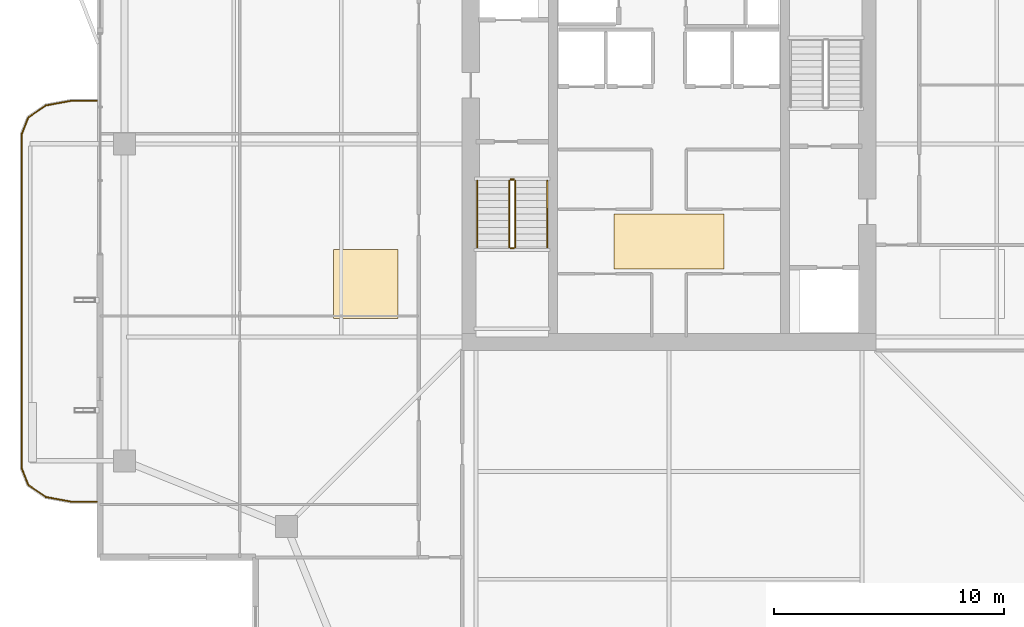
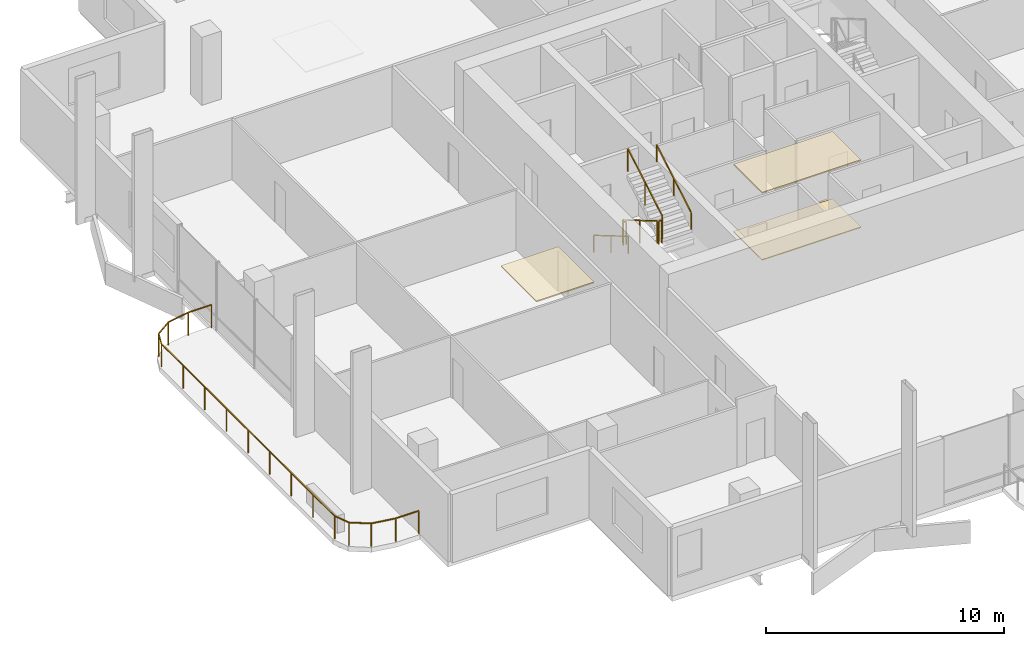
# One storey, part 22 of 25: 7 railings, 3 coverings.
"""IFC4 building model written with IfcOpenShell, lengths in metres."""

import ifcopenshell
import ifcopenshell.guid

model = None  # the IFC model being written
_history = None  # IfcOwnerHistory: only IFC2X3 demands one
_inside = {}  # id of a spatial element -> (the spatial element, [elements in it])
_under = {}  # id of a project, library or spatial element -> (it, [spatial elements below it])
_declared = {}  # id of a project -> (the project, [libraries it declares])
_typed = {}  # id of a type object -> (the type object, [elements of that type])
_made_of = {}  # id of a material, layer set ... -> (it, [elements and type objects made of it])


def new_model(schema):
    """Start an empty IFC model of exactly this schema.

    Asked for "IFC4X3", IfcOpenShell would pick the latest addendum, in which some entities
    have other attributes; the version numbers below select the first issue.
    IFC2X3 requires an IfcOwnerHistory on every rooted entity: one is made here for all.
    """
    global model, _history
    if schema == "IFC4X3":
        model = ifcopenshell.file(schema_version=(4, 3, 0, 0))
    else:
        model = ifcopenshell.file(schema=schema)
    _inside.clear()
    _under.clear()
    _declared.clear()
    _typed.clear()
    _made_of.clear()
    _history = None
    if model.schema == "IFC2X3":
        org = make("IfcOrganization", Name="unknown")
        user = make(
            "IfcPersonAndOrganization",
            ThePerson=make("IfcPerson", FamilyName="unknown"),
            TheOrganization=org,
        )
        app = make(
            "IfcApplication",
            ApplicationDeveloper=org,
            Version="unknown",
            ApplicationFullName="unknown",
            ApplicationIdentifier="unknown",
        )
        _history = make(
            "IfcOwnerHistory",
            OwningUser=user,
            OwningApplication=app,
            ChangeAction="ADDED",
            CreationDate=0,
        )
    return model


def make(cls, **values):
    """One entity of the class cls with the attributes given. An attribute that is None is left unset."""
    return model.create_entity(
        cls, **{name: value for name, value in values.items() if value is not None}
    )


def rooted(cls, **values):
    """An entity with a GlobalId (a new one), such as an element, a storey or a relation."""
    return make(cls, GlobalId=ifcopenshell.guid.new(), OwnerHistory=_history, **values)


def si_unit(unit_type, name, prefix=None):
    """IfcSIUnit, for example si_unit("LENGTHUNIT", "METRE", prefix="MILLI")."""
    return make("IfcSIUnit", UnitType=unit_type, Prefix=prefix, Name=name)


def assignment(units):
    """IfcUnitAssignment: the units of a project."""
    return None if units is None else make("IfcUnitAssignment", Units=units)


def point(xyz):
    """IfcCartesianPoint."""
    return None if xyz is None else make("IfcCartesianPoint", Coordinates=xyz)


def direction(xyz):
    """IfcDirection."""
    return None if xyz is None else make("IfcDirection", DirectionRatios=xyz)


def frame(location, z_axis=None, x_axis=None):
    """IfcAxis2Placement3D, a coordinate frame: its origin and axes. An axis left out is left unset."""
    return make(
        "IfcAxis2Placement3D",
        Location=point(location),
        Axis=direction(z_axis),
        RefDirection=direction(x_axis),
    )


def frame_2d(location, x_axis=None):
    """IfcAxis2Placement2D, a coordinate frame in the plane: its origin and x axis."""
    return make(
        "IfcAxis2Placement2D", Location=point(location), RefDirection=direction(x_axis)
    )


def origin():
    """The frame at (0, 0, 0) with its axes left unset."""
    return frame((0.0, 0.0, 0.0))


def origin_2d():
    """The frame at (0, 0) in the plane with its x axis left unset."""
    return frame_2d((0.0, 0.0))


def place(relative_to, where):
    """IfcLocalPlacement: puts the frame where relative to a parent placement (None: the world)."""
    return make(
        "IfcLocalPlacement", PlacementRelTo=relative_to, RelativePlacement=where
    )


def context(
    kind, dimensions, precision=None, world=None, true_north=None, identifier=None
):
    """IfcGeometricRepresentationContext, for example the 3D "Model" context."""
    return make(
        "IfcGeometricRepresentationContext",
        ContextIdentifier=identifier,
        ContextType=kind,
        CoordinateSpaceDimension=dimensions,
        Precision=precision,
        WorldCoordinateSystem=world,
        TrueNorth=true_north,
    )


def subcontext(parent, identifier, kind, view, scale=None):
    """IfcGeometricRepresentationSubContext, for example "Body" below "Model"."""
    return make(
        "IfcGeometricRepresentationSubContext",
        ContextIdentifier=identifier,
        ContextType=kind,
        ParentContext=parent,
        TargetScale=scale,
        TargetView=view,
    )


def project(units=None, contexts=None):
    """IfcProject with its units and contexts."""
    return rooted(
        "IfcProject",
        Name="project",
        RepresentationContexts=contexts,
        UnitsInContext=assignment(units),
    )


def spatial(cls, under=None, at=None, **own):
    """A site, building, storey or space (cls), placed at a placement, below another one or the project."""
    s = rooted(cls, ObjectPlacement=at, **own)
    if under is not None:
        _under.setdefault(under.id(), (under, []))[1].append(s)
    return s


def polyline(points):
    """IfcPolyline through the points."""
    return make("IfcPolyline", Points=[point(p) for p in points])


def profile(cls, at=None, kind="AREA", **sizes):
    """A parametric profile (cls). Its sizes go by their IFC names, for example OverallWidth=200.0."""
    return make(cls, ProfileType=kind, Position=at, **sizes)


def rectangle(**sizes):
    """IfcRectangleProfileDef."""
    return profile("IfcRectangleProfileDef", **sizes)


def outline(outer, holes=None, kind="AREA"):
    """IfcArbitraryClosedProfileDef: a profile drawn as a closed curve; with holes, ...WithVoids."""
    if holes is None:
        return make("IfcArbitraryClosedProfileDef", ProfileType=kind, OuterCurve=outer)
    return make(
        "IfcArbitraryProfileDefWithVoids",
        ProfileType=kind,
        OuterCurve=outer,
        InnerCurves=holes,
    )


def extrude(swept, where, along, depth):
    """IfcExtrudedAreaSolid: the profile swept, set in the frame where, extruded along a direction by depth."""
    return make(
        "IfcExtrudedAreaSolid",
        SweptArea=swept,
        Position=where,
        ExtrudedDirection=direction(along),
        Depth=depth,
    )


def shape(context_of_items, identifier, shape_type, items):
    """IfcShapeRepresentation: the items that make up one representation, for example the "Body"."""
    return make(
        "IfcShapeRepresentation",
        ContextOfItems=context_of_items,
        RepresentationIdentifier=identifier,
        RepresentationType=shape_type,
        Items=items,
    )


def material(Name=None, Category=None):
    """IfcMaterial."""
    return make("IfcMaterial", Name=Name, Category=Category)


def layer(
    of_material, thickness, ventilated=None, Name=None, Category=None, Priority=None
):
    """IfcMaterialLayer: one layer of a wall or slab, of a material (None: an air gap)."""
    return make(
        "IfcMaterialLayer",
        Material=of_material,
        LayerThickness=thickness,
        IsVentilated=ventilated,
        Name=Name,
        Category=Category,
        Priority=Priority,
    )


def layer_set(layers, Name=None):
    """IfcMaterialLayerSet."""
    return make("IfcMaterialLayerSet", MaterialLayers=layers, LayerSetName=Name)


def made_of(thing, what):
    """Note that an element or type object is made of a material, layer set ...; save() writes the relation."""
    if what is not None:
        _made_of.setdefault(what.id(), (what, []))[1].append(thing)
    return thing


def type_object(cls, material=None, **own):
    """A type object (cls), such as IfcWallType, which elements share."""
    return made_of(rooted(cls, **own), material)


def element(
    cls,
    number,
    at=None,
    inside=None,
    cuts=None,
    type_object=None,
    material=None,
    context=None,
    identifier="Body",
    shape_type=None,
    held_by="IfcProductDefinitionShape",
    body=None,
    shapes=None,
    **own,
):
    """One element of the class cls, such as IfcWall. Its Tag is "e" and its number.

    at: its placement. inside: the storey or other place that contains it. cuts: it is an
    opening in that element (IfcRelVoidsElement). A single representation is given by context,
    identifier, shape_type and body (its items); several are given by shapes. held_by: the class
    of the entity that holds the representations. save() writes the other relations.
    """
    e = rooted(cls, Tag="e%d" % number, ObjectPlacement=at, **own)
    if body is not None:
        shapes = [shape(context, identifier, shape_type, body)]
    if shapes is not None:
        e.Representation = make(held_by, Representations=shapes)
    if inside is not None:
        _inside.setdefault(inside.id(), (inside, []))[1].append(e)
    if cuts is not None:
        rooted(
            "IfcRelVoidsElement", RelatingBuildingElement=cuts, RelatedOpeningElement=e
        )
    if type_object is not None:
        _typed.setdefault(type_object.id(), (type_object, []))[1].append(e)
    return made_of(e, material)


def aggregate(whole, parts):
    """IfcRelAggregates: a whole, such as a stair, and the parts it consists of."""
    return rooted("IfcRelAggregates", RelatingObject=whole, RelatedObjects=parts)


def save(model, path):
    """Write the relations noted so far, then the file.

    IfcRelAggregates (storeys below a building ...), IfcRelContainedInSpatialStructure (elements
    in a storey), IfcRelDefinesByType, IfcRelAssociatesMaterial and IfcRelDeclares: one each for
    every whole, place, type object, material and project.
    """
    for whole, parts in _under.values():
        aggregate(whole, parts)
    for where, things in _inside.values():
        rooted(
            "IfcRelContainedInSpatialStructure",
            RelatedElements=things,
            RelatingStructure=where,
        )
    for kind, things in _typed.values():
        rooted("IfcRelDefinesByType", RelatedObjects=things, RelatingType=kind)
    for what, things in _made_of.values():
        rooted("IfcRelAssociatesMaterial", RelatedObjects=things, RelatingMaterial=what)
    for by, libraries in _declared.values():
        rooted("IfcRelDeclares", RelatingContext=by, RelatedDefinitions=libraries)
    model.write(path)


model = new_model("IFC4")

# Units and contexts
model_context = context("Model", 3, precision=1e-05, world=origin(), true_north=direction((0.0, 1.0)))
body_context = subcontext(model_context, "Body", "Model", "MODEL_VIEW")
ifc_project = project(units=[si_unit("LENGTHUNIT", "METRE"), si_unit("AREAUNIT", "SQUARE_METRE"), si_unit("VOLUMEUNIT", "CUBIC_METRE"), si_unit("PLANEANGLEUNIT", "RADIAN"), si_unit("MASSUNIT", "GRAM", prefix="KILO")], contexts=[model_context])

# Site, building, storey
site_placement = place(None, origin())
site = spatial("IfcSite", under=ifc_project, at=site_placement, CompositionType="ELEMENT")
building_placement = place(site_placement, origin())
building = spatial("IfcBuilding", under=site, at=building_placement, Name="Belovzor Exchange Tower", CompositionType="ELEMENT")
storey_placement = place(building_placement, frame((0.0, 0.0, 272.85009765625)))
storey = spatial("IfcBuildingStorey", under=building, at=storey_placement, Name="L68", CompositionType="ELEMENT", Elevation=272.85009765625)

# Railings
ifc_material_1 = material(Name="Stainless Steel Grade 304", Category="steel")
railing_type_1 = type_object("IfcRailingType", Name="Brushed Stainless Steel Stair Handrail 900", PredefinedType="HANDRAIL", material=ifc_material_1)
railing_1_placement = place(storey_placement, frame((20.449951171875, 27.199951171875, 0.17041015625)))
element("IfcRailing", 1, at=railing_1_placement, inside=storey, type_object=railing_type_1, Name="L68 ST-1 stair handrail 1", PredefinedType="HANDRAIL", context=body_context, shape_type="SweptSolid", body=[
    extrude(rectangle(XDim=0.048095703125, YDim=0.048095703125, at=origin_2d()), frame((0.0, 0.0, 0.8759765625), z_axis=(0.0, -0.86209462966, 0.506747323142), x_axis=(1.0, 0.0, 0.0)), (0.0, 0.0, 1.0), 3.36376953125),
    extrude(rectangle(XDim=0.0419921875, YDim=0.0419921875, at=origin_2d()), origin(), (0.0, 0.0, 1.0), 0.851806640625),
    extrude(rectangle(XDim=0.0419921875, YDim=0.0419921875, at=origin_2d()), frame((0.0, -1.449951171875, 0.852294921875)), (0.0, 0.0, 1.0), 0.851806640625),
    extrude(rectangle(XDim=0.0419921875, YDim=0.0419921875, at=origin_2d()), frame((0.0, -2.89990234375, 1.70458984375)), (0.0, 0.0, 1.0), 0.851806640625),
])
railing_2_placement = place(storey_placement, frame((23.5, 24.300048828125, 2.04541015625)))
element("IfcRailing", 2, at=railing_2_placement, inside=storey, type_object=railing_type_1, Name="L68 ST-1 stair handrail 2", PredefinedType="HANDRAIL", context=body_context, shape_type="SweptSolid", body=[
    extrude(rectangle(XDim=0.048095703125, YDim=0.048095703125, at=origin_2d()), frame((0.0, 0.0, 0.8759765625), z_axis=(0.0, 0.86209462966, 0.506747323142), x_axis=(-1.0, 0.0, 0.0)), (0.0, 0.0, 1.0), 3.36376953125),
    extrude(rectangle(XDim=0.0419921875, YDim=0.0419921875, at=origin_2d()), origin(), (0.0, 0.0, 1.0), 0.851806640625),
    extrude(rectangle(XDim=0.0419921875, YDim=0.0419921875, at=origin_2d()), frame((0.0, 1.449951171875, 0.852294921875)), (0.0, 0.0, 1.0), 0.851806640625),
    extrude(rectangle(XDim=0.0419921875, YDim=0.0419921875, at=origin_2d()), frame((0.0, 2.89990234375, 1.70458984375)), (0.0, 0.0, 1.0), 0.851806640625),
])
ifc_material_2 = material(Name="Stainless Steel and Laminated Safety Glass", Category="steel")
railing_type_2 = type_object("IfcRailingType", Name="Laminated Glass & Stainless Steel Balcony Balustrade 1200", PredefinedType="BALUSTRADE", material=ifc_material_2)
railing_3_placement = place(storey_placement, frame((3.889892578125, 30.669921875, 0.0)))
element("IfcRailing", 3, at=railing_3_placement, inside=storey, type_object=railing_type_2, Name="GR-1 Balcony Balustrade L68 West", PredefinedType="BALUSTRADE", context=body_context, shape_type="SweptSolid", body=[
    extrude(rectangle(XDim=0.048095703125, YDim=0.048095703125, at=origin_2d()), frame((0.0, 0.0, 1.17578125), z_axis=(-1.0, 0.0, 0.0), x_axis=(0.0, -1.0, 0.0)), (0.0, 0.0, 1.0), 1.1328125),
    extrude(rectangle(XDim=0.048095703125, YDim=0.048095703125, at=origin_2d()), frame((-1.1328125, 0.0, 1.17578125), z_axis=(-0.983651385113, -0.180083182347, 0.0), x_axis=(0.180083182347, -0.983651385113, 0.0)), (0.0, 0.0, 1.0), 1.093994140625),
    extrude(rectangle(XDim=0.048095703125, YDim=0.048095703125, at=origin_2d()), frame((-2.208984375, -0.197021484375, 1.17578125), z_axis=(-0.826614792125, -0.562768145367, 0.0), x_axis=(0.562768145367, -0.826614792125, 0.0)), (0.0, 0.0, 1.0), 0.9326171875),
    extrude(rectangle(XDim=0.048095703125, YDim=0.048095703125, at=origin_2d()), frame((-2.97998046875, -0.721923828125, 1.17578125), z_axis=(-0.365612923861, -0.930766990125, 0.0), x_axis=(0.930766990125, -0.365612923861, 0.0)), (0.0, 0.0, 1.0), 0.765869140625),
    extrude(rectangle(XDim=0.048095703125, YDim=0.048095703125, at=origin_2d()), frame((-3.260009765625, -1.434814453125, 1.17578125), z_axis=(0.0, -1.0, 0.0), x_axis=(1.0, 0.0, 0.0)), (0.0, 0.0, 1.0), 14.570068359375),
    extrude(rectangle(XDim=0.048095703125, YDim=0.048095703125, at=origin_2d()), frame((-3.260009765625, -16.0048828125, 1.17578125), z_axis=(0.365504480807, -0.930809580156, 0.0), x_axis=(0.930809580156, 0.365504480807, 0.0)), (0.0, 0.0, 1.0), 0.76611328125),
    extrude(rectangle(XDim=0.048095703125, YDim=0.048095703125, at=origin_2d()), frame((-2.97998046875, -16.718017578125, 1.17578125), z_axis=(0.826614792125, -0.562768145367, 0.0), x_axis=(0.562768145367, 0.826614792125, 0.0)), (0.0, 0.0, 1.0), 0.9326171875),
    extrude(rectangle(XDim=0.048095703125, YDim=0.048095703125, at=origin_2d()), frame((-2.208984375, -17.242919921875, 1.17578125), z_axis=(0.983651385113, -0.180083182347, 0.0), x_axis=(0.180083182347, 0.983651385113, 0.0)), (0.0, 0.0, 1.0), 1.093994140625),
    extrude(rectangle(XDim=0.048095703125, YDim=0.048095703125, at=origin_2d()), frame((-1.1328125, -17.43994140625, 1.17578125), z_axis=(1.0, 0.0, 0.0), x_axis=(0.0, 1.0, 0.0)), (0.0, 0.0, 1.0), 1.1328125),
    extrude(rectangle(XDim=0.0419921875, YDim=0.0419921875, at=origin_2d()), origin(), (0.0, 0.0, 1.0), 1.15185546875),
    extrude(rectangle(XDim=0.0419921875, YDim=0.0419921875, at=origin_2d()), frame((-1.1328125, 0.0, 0.0)), (0.0, 0.0, 1.0), 1.15185546875),
    extrude(rectangle(XDim=0.0419921875, YDim=0.0419921875, at=origin_2d()), frame((-2.208984375, -0.197021484375, 0.0)), (0.0, 0.0, 1.0), 1.15185546875),
    extrude(rectangle(XDim=0.0419921875, YDim=0.0419921875, at=origin_2d()), frame((-2.97998046875, -0.721923828125, 0.0)), (0.0, 0.0, 1.0), 1.15185546875),
    extrude(rectangle(XDim=0.0419921875, YDim=0.0419921875, at=origin_2d()), frame((-3.260009765625, -1.434814453125, 0.0)), (0.0, 0.0, 1.0), 1.15185546875),
    extrude(rectangle(XDim=0.0419921875, YDim=0.0419921875, at=origin_2d()), frame((-3.260009765625, -3.256103515625, 0.0)), (0.0, 0.0, 1.0), 1.15185546875),
    extrude(rectangle(XDim=0.0419921875, YDim=0.0419921875, at=origin_2d()), frame((-3.260009765625, -5.077392578125, 0.0)), (0.0, 0.0, 1.0), 1.15185546875),
    extrude(rectangle(XDim=0.0419921875, YDim=0.0419921875, at=origin_2d()), frame((-3.260009765625, -6.898681640625, 0.0)), (0.0, 0.0, 1.0), 1.15185546875),
    extrude(rectangle(XDim=0.0419921875, YDim=0.0419921875, at=origin_2d()), frame((-3.260009765625, -8.7197265625, 0.0)), (0.0, 0.0, 1.0), 1.15185546875),
    extrude(rectangle(XDim=0.0419921875, YDim=0.0419921875, at=origin_2d()), frame((-3.260009765625, -10.541015625, 0.0)), (0.0, 0.0, 1.0), 1.15185546875),
    extrude(rectangle(XDim=0.0419921875, YDim=0.0419921875, at=origin_2d()), frame((-3.260009765625, -12.3623046875, 0.0)), (0.0, 0.0, 1.0), 1.15185546875),
    extrude(rectangle(XDim=0.0419921875, YDim=0.0419921875, at=origin_2d()), frame((-3.260009765625, -14.18359375, 0.0)), (0.0, 0.0, 1.0), 1.15185546875),
    extrude(rectangle(XDim=0.0419921875, YDim=0.0419921875, at=origin_2d()), frame((-3.260009765625, -16.0048828125, 0.0)), (0.0, 0.0, 1.0), 1.15185546875),
    extrude(rectangle(XDim=0.0419921875, YDim=0.0419921875, at=origin_2d()), frame((-2.97998046875, -16.718017578125, 0.0)), (0.0, 0.0, 1.0), 1.15185546875),
    extrude(rectangle(XDim=0.0419921875, YDim=0.0419921875, at=origin_2d()), frame((-2.208984375, -17.242919921875, 0.0)), (0.0, 0.0, 1.0), 1.15185546875),
    extrude(rectangle(XDim=0.0419921875, YDim=0.0419921875, at=origin_2d()), frame((-1.1328125, -17.43994140625, 0.0)), (0.0, 0.0, 1.0), 1.15185546875),
    extrude(rectangle(XDim=0.0419921875, YDim=0.0419921875, at=origin_2d()), frame((0.0, -17.43994140625, 0.0)), (0.0, 0.0, 1.0), 1.15185546875),
])
ifc_material_3 = material(Name="Steel S355", Category="steel")
railing_type_3 = type_object("IfcRailingType", Name="Painted Steel Stairwell Guardrail 1200", PredefinedType="GUARDRAIL", material=ifc_material_3)
railing_4_placement = place(storey_placement, frame((21.85009765625, 27.199951171875, 0.17041015625)))
element("IfcRailing", 4, at=railing_4_placement, inside=storey, type_object=railing_type_3, Name="L68 ST-1 stair guard 1", PredefinedType="GUARDRAIL", context=body_context, shape_type="SweptSolid", body=[
    extrude(rectangle(XDim=0.048095703125, YDim=0.048095703125, at=origin_2d()), frame((0.0, 0.0, 1.17578125), z_axis=(0.0, -0.86209462966, 0.506747323142), x_axis=(1.0, 0.0, 0.0)), (0.0, 0.0, 1.0), 3.36376953125),
    extrude(rectangle(XDim=0.0419921875, YDim=0.0419921875, at=origin_2d()), origin(), (0.0, 0.0, 1.0), 1.15185546875),
    extrude(rectangle(XDim=0.0419921875, YDim=0.0419921875, at=origin_2d()), frame((0.0, -1.449951171875, 0.852294921875)), (0.0, 0.0, 1.0), 1.15185546875),
    extrude(rectangle(XDim=0.0419921875, YDim=0.0419921875, at=origin_2d()), frame((0.0, -2.89990234375, 1.70458984375)), (0.0, 0.0, 1.0), 1.15185546875),
])
railing_5_placement = place(storey_placement, frame((21.89990234375, 24.25, 1.875)))
element("IfcRailing", 5, at=railing_5_placement, inside=storey, type_object=railing_type_3, Name="L68 ST-1 stair guard 2", PredefinedType="GUARDRAIL", context=body_context, shape_type="SweptSolid", body=[
    extrude(rectangle(XDim=0.048095703125, YDim=0.048095703125, at=origin_2d()), frame((0.0, 0.0, 1.17578125), z_axis=(1.0, 0.0, 0.0), x_axis=(0.0, 1.0, 0.0)), (0.0, 0.0, 1.0), 0.150146484375),
    extrude(rectangle(XDim=0.0419921875, YDim=0.0419921875, at=origin_2d()), origin(), (0.0, 0.0, 1.0), 1.15185546875),
    extrude(rectangle(XDim=0.0419921875, YDim=0.0419921875, at=origin_2d()), frame((0.150146484375, 0.0, 0.0)), (0.0, 0.0, 1.0), 1.15185546875),
])
railing_6_placement = place(storey_placement, frame((22.10009765625, 24.300048828125, 2.04541015625)))
element("IfcRailing", 6, at=railing_6_placement, inside=storey, type_object=railing_type_3, Name="L68 ST-1 stair guard 3", PredefinedType="GUARDRAIL", context=body_context, shape_type="SweptSolid", body=[
    extrude(rectangle(XDim=0.048095703125, YDim=0.048095703125, at=origin_2d()), frame((0.0, 0.0, 1.17578125), z_axis=(0.0, 0.86209462966, 0.506747323142), x_axis=(-1.0, 0.0, 0.0)), (0.0, 0.0, 1.0), 3.36376953125),
    extrude(rectangle(XDim=0.0419921875, YDim=0.0419921875, at=origin_2d()), origin(), (0.0, 0.0, 1.0), 1.15185546875),
    extrude(rectangle(XDim=0.0419921875, YDim=0.0419921875, at=origin_2d()), frame((0.0, 1.449951171875, 0.852294921875)), (0.0, 0.0, 1.0), 1.15185546875),
    extrude(rectangle(XDim=0.0419921875, YDim=0.0419921875, at=origin_2d()), frame((0.0, 2.89990234375, 1.70458984375)), (0.0, 0.0, 1.0), 1.15185546875),
])
railing_7_placement = place(storey_placement, frame((21.89990234375, 27.25, 0.0)))
element("IfcRailing", 7, at=railing_7_placement, inside=storey, type_object=railing_type_3, Name="L68 ST-1 stair guard 4", PredefinedType="GUARDRAIL", context=body_context, shape_type="SweptSolid", body=[
    extrude(rectangle(XDim=0.048095703125, YDim=0.048095703125, at=origin_2d()), frame((0.0, 0.0, 1.17578125), z_axis=(1.0, 0.0, 0.0), x_axis=(0.0, 1.0, 0.0)), (0.0, 0.0, 1.0), 0.150146484375),
    extrude(rectangle(XDim=0.0419921875, YDim=0.0419921875, at=origin_2d()), origin(), (0.0, 0.0, 1.0), 1.15185546875),
    extrude(rectangle(XDim=0.0419921875, YDim=0.0419921875, at=origin_2d()), frame((0.150146484375, 0.0, 0.0)), (0.0, 0.0, 1.0), 1.15185546875),
])

# Coverings
ifc_material_4 = material(Name="Perforated Powder-Coated Aluminium", Category="aluminium")
ifc_layer_1 = layer(ifc_material_4, 0.06005859375)
ifc_layer_set_1 = layer_set([ifc_layer_1], Name="Perforated Powder-Coated Aluminium")
covering_type_1 = type_object("IfcCoveringType", Name="Perforated Acoustic Metal Tile Suspended Ceiling 60", PredefinedType="CEILING", material=ifc_layer_set_1)
covering_1_placement = place(storey_placement, frame((0.0, 0.0, 3.43994140625)))
element("IfcCovering", 8, at=covering_1_placement, inside=storey, type_object=covering_type_1, Name="CLG-AC60 Suspended Ceiling CLG-L68-LOB", PredefinedType="CEILING", context=body_context, shape_type="SweptSolid", body=[
    extrude(outline(polyline([(26.39990234375, 23.35009765625), (31.199951171875, 23.35009765625), (31.199951171875, 25.75), (26.39990234375, 25.75), (26.39990234375, 23.35009765625)])), origin(), (0.0, 0.0, 1.0), 0.06005859375),
])
covering_2_placement = place(storey_placement, frame((0.0, 0.0, 3.43994140625)))
element("IfcCovering", 9, at=covering_2_placement, inside=storey, type_object=covering_type_1, Name="CLG-AC60 Suspended Ceiling CLG-L68-Z3", PredefinedType="CEILING", context=body_context, shape_type="SweptSolid", body=[
    extrude(outline(polyline([(14.199951171875, 21.199951171875), (17.0, 21.199951171875), (17.0, 24.199951171875), (14.199951171875, 24.199951171875), (14.199951171875, 21.199951171875)])), origin(), (0.0, 0.0, 1.0), 0.06005859375),
])
ifc_material_5 = material(Name="Polished Natural Granite Tile", Category="masonry")
ifc_layer_2 = layer(ifc_material_5, 0.050048828125)
ifc_layer_set_2 = layer_set([ifc_layer_2], Name="Polished Natural Granite Tile")
covering_type_2 = type_object("IfcCoveringType", Name="Polished Karelian Granite & Raised Access Floor Finish 50", PredefinedType="FLOORING", material=ifc_layer_set_2)
covering_3_placement = place(storey_placement, origin())
element("IfcCovering", 10, at=covering_3_placement, inside=storey, type_object=covering_type_2, Name="FLR-GR50 Floor Finish FLR-L68-LOB", PredefinedType="FLOORING", context=body_context, shape_type="SweptSolid", body=[
    extrude(outline(polyline([(26.39990234375, 23.35009765625), (31.199951171875, 23.35009765625), (31.199951171875, 25.75), (26.39990234375, 25.75), (26.39990234375, 23.35009765625)])), origin(), (0.0, 0.0, 1.0), 0.0498046875),
])

save(model, "model.ifc")
